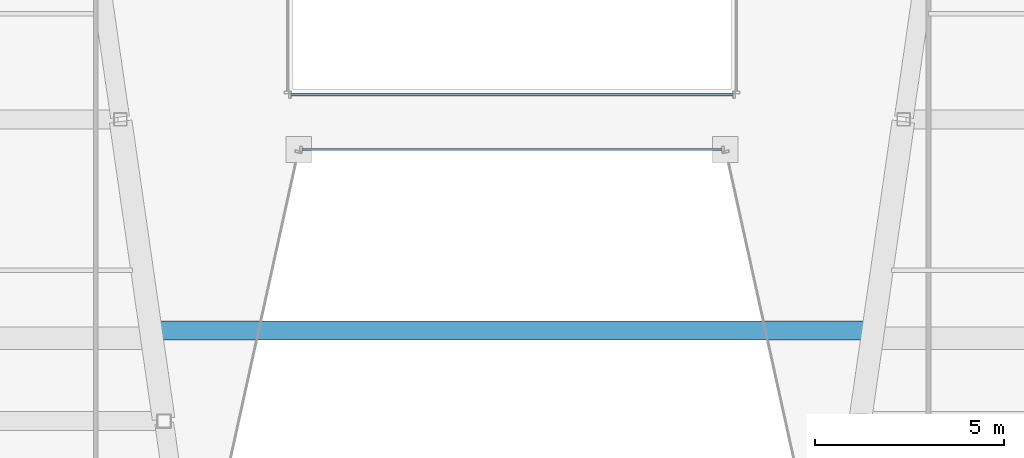
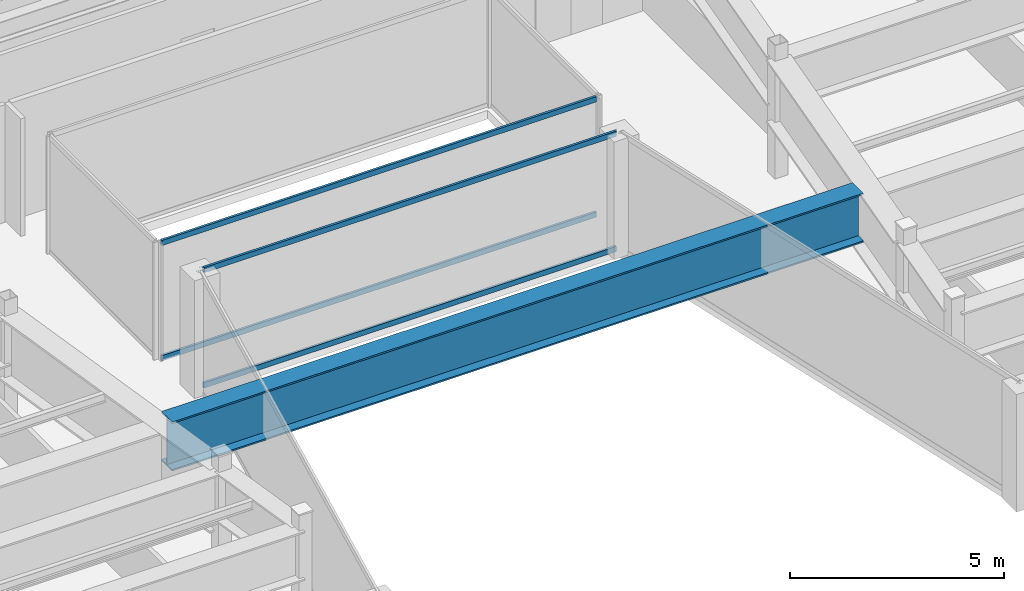
# One storey, part 7 of 35: 4 members, 1 beam, 2 elements without a shape of their own.
"""IFC4 building model written with IfcOpenShell, lengths in metres."""

from ifc_helpers import new_model, si_unit, direction, frame, origin, origin_2d, place, context, subcontext, project, spatial, hollow_rectangle, i_section, extrude, material, material_profile, profile_set, type_object, element, aggregate, save


model = new_model("IFC4")

# Units and contexts
model_context = context("Model", 3, precision=1e-05, world=origin(), true_north=direction((0.0, 1.0)))
body_context = subcontext(model_context, "Body", "Model", "MODEL_VIEW")
ifc_project = project(units=[si_unit("LENGTHUNIT", "METRE"), si_unit("AREAUNIT", "SQUARE_METRE"), si_unit("VOLUMEUNIT", "CUBIC_METRE"), si_unit("PLANEANGLEUNIT", "RADIAN"), si_unit("MASSUNIT", "GRAM", prefix="KILO")], contexts=[model_context])

# Site, building, storey
site_placement = place(None, origin())
site = spatial("IfcSite", under=ifc_project, at=site_placement, CompositionType="ELEMENT")
building_placement = place(site_placement, origin())
building = spatial("IfcBuilding", under=site, at=building_placement, Name="Saevonmaru Cultural Tower", CompositionType="ELEMENT")
storey_placement = place(building_placement, frame((0.0, 0.0, 249.60009765625)))
storey = spatial("IfcBuildingStorey", under=building, at=storey_placement, Name="L58", CompositionType="ELEMENT", Elevation=249.60009765625)

# Beam
ifc_material_1 = material(Name="Steel HSA600 (600 MPa)", Category="steel")
ifc_material_profile_1 = material_profile(ifc_material_1, i_section(OverallWidth=0.5, OverallDepth=1.39990234375, WebThickness=0.02392578125, FlangeThickness=0.044921875, at=origin_2d()), Name="PG-1400x500x24x45")
ifc_profile_set_1 = profile_set([ifc_material_profile_1], Name="Steel HSA600 (600 MPa)")
beam_type = type_object("IfcBeamType", Name="BM-TG-PG1400", PredefinedType="BEAM", material=ifc_profile_set_1)
beam_placement = place(storey_placement, frame((20.68359375, 26.39990234375, 2.64990234375), z_axis=(1.0, 0.0, 0.0), x_axis=(0.0, 1.0, 0.0)))
element("IfcBeam", 1, at=beam_placement, inside=storey, type_object=beam_type, Name="L58 Central Link Girder", PredefinedType="BEAM", context=body_context, shape_type="SweptSolid", body=[
    extrude(i_section(OverallWidth=0.5, OverallDepth=1.39990234375, WebThickness=0.02392578125, FlangeThickness=0.044921875, at=origin_2d()), origin(), (0.0, 0.0, 1.0), 18.6328125),
])

# Curtain wall, members
ifc_material_2 = material(Name="Satin Bronze Anodised Aluminium", Category="aluminium")
curtain_wall_type_1 = type_object("IfcCurtainWallType", Name="CW-TYP-B", PredefinedType="NOTDEFINED", material=ifc_material_2)
curtain_wall_1_placement = place(storey_placement, origin())
curtain_wall_1 = element("IfcCurtainWall", 2, at=curtain_wall_1_placement, inside=storey, type_object=curtain_wall_type_1, Name="L58 Unitised Curtain Wall E4", PredefinedType="NOTDEFINED")
ifc_material_profile_2 = material_profile(ifc_material_2, hollow_rectangle(XDim=0.06494140625, YDim=0.14990234375, WallThickness=0.00390625, at=origin_2d()), Name="ALU-TRAN-150x65x4")
ifc_profile_set_2 = profile_set([ifc_material_profile_2], Name="Satin Bronze Anodised Aluminium")
member_type_1 = type_object("IfcMemberType", Name="TR-CW-150x65", PredefinedType="USERDEFINED", material=ifc_profile_set_2)
member_1_placement = place(storey_placement, frame((24.439208984375, 31.199951171875, 0.032470703125), z_axis=(1.0, 0.0, 0.0), x_axis=(0.0, 1.0, 0.0)))
member_1 = element("IfcMember", 3, at=member_1_placement, type_object=member_type_1, Name="CW-TW-L58-E4 transom 1.1", ObjectType="TRANSOM", PredefinedType="USERDEFINED", context=body_context, shape_type="SweptSolid", body=[
    extrude(hollow_rectangle(XDim=0.06494140625, YDim=0.14990234375, WallThickness=0.00390625, at=origin_2d()), origin(), (0.0, 0.0, 1.0), 11.12158203125),
])
member_2_placement = place(storey_placement, frame((24.439208984375, 31.199951171875, 3.3173828125), z_axis=(1.0, 0.0, 0.0), x_axis=(0.0, 1.0, 0.0)))
member_2 = element("IfcMember", 4, at=member_2_placement, type_object=member_type_1, Name="CW-TW-L58-E4 transom 1.2", ObjectType="TRANSOM", PredefinedType="USERDEFINED", context=body_context, shape_type="SweptSolid", body=[
    extrude(hollow_rectangle(XDim=0.06494140625, YDim=0.14990234375, WallThickness=0.00390625, at=origin_2d()), origin(), (0.0, 0.0, 1.0), 11.12158203125),
])
aggregate(curtain_wall_1, [member_1, member_2])

curtain_wall_type_2 = type_object("IfcCurtainWallType", Name="CW-ATR-GLZ", PredefinedType="NOTDEFINED", material=ifc_material_2)
curtain_wall_2_placement = place(storey_placement, origin())
curtain_wall_2 = element("IfcCurtainWall", 5, at=curtain_wall_2_placement, inside=storey, type_object=curtain_wall_type_2, Name="L58 Vertical Atrium Glazed Smoke Screen 1", PredefinedType="NOTDEFINED")
ifc_material_profile_3 = material_profile(ifc_material_2, hollow_rectangle(XDim=0.06494140625, YDim=0.14990234375, WallThickness=0.00390625, at=origin_2d()), Name="ALU-TRAN-150x65x4")
ifc_profile_set_3 = profile_set([ifc_material_profile_3], Name="Satin Bronze Anodised Aluminium")
member_type_2 = type_object("IfcMemberType", Name="TR-CW-INT-150x65", PredefinedType="USERDEFINED", material=ifc_profile_set_3)
member_3_placement = place(storey_placement, frame((24.142578125, 32.64990234375, 0.032470703125), z_axis=(1.0, 0.0, 0.0), x_axis=(0.0, 1.0, 0.0)))
member_3 = element("IfcMember", 6, at=member_3_placement, type_object=member_type_2, Name="CW-ATR-L58-1 transom 1.1", ObjectType="TRANSOM", PredefinedType="USERDEFINED", context=body_context, shape_type="SweptSolid", body=[
    extrude(hollow_rectangle(XDim=0.06494140625, YDim=0.14990234375, WallThickness=0.00390625, at=origin_2d()), origin(), (0.0, 0.0, 1.0), 11.71484375),
])
member_4_placement = place(storey_placement, frame((24.142578125, 32.64990234375, 3.3173828125), z_axis=(1.0, 0.0, 0.0), x_axis=(0.0, 1.0, 0.0)))
member_4 = element("IfcMember", 7, at=member_4_placement, type_object=member_type_2, Name="CW-ATR-L58-1 transom 1.2", ObjectType="TRANSOM", PredefinedType="USERDEFINED", context=body_context, shape_type="SweptSolid", body=[
    extrude(hollow_rectangle(XDim=0.06494140625, YDim=0.14990234375, WallThickness=0.00390625, at=origin_2d()), origin(), (0.0, 0.0, 1.0), 11.71484375),
])
aggregate(curtain_wall_2, [member_3, member_4])

save(model, "model.ifc")
